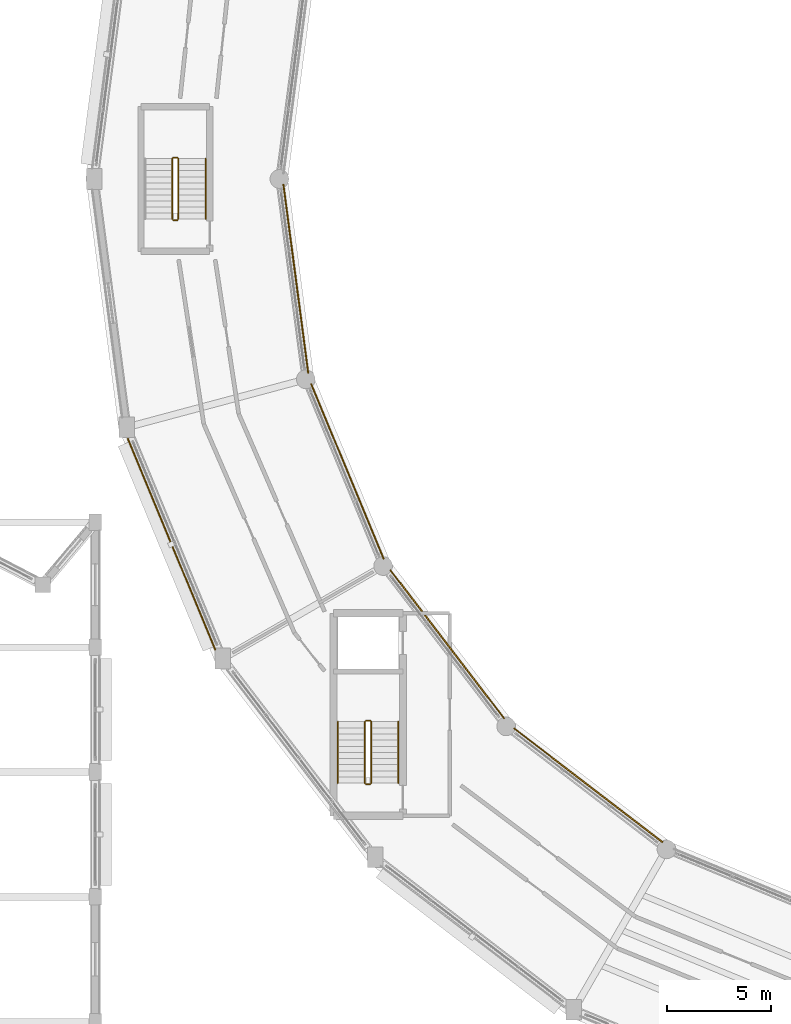
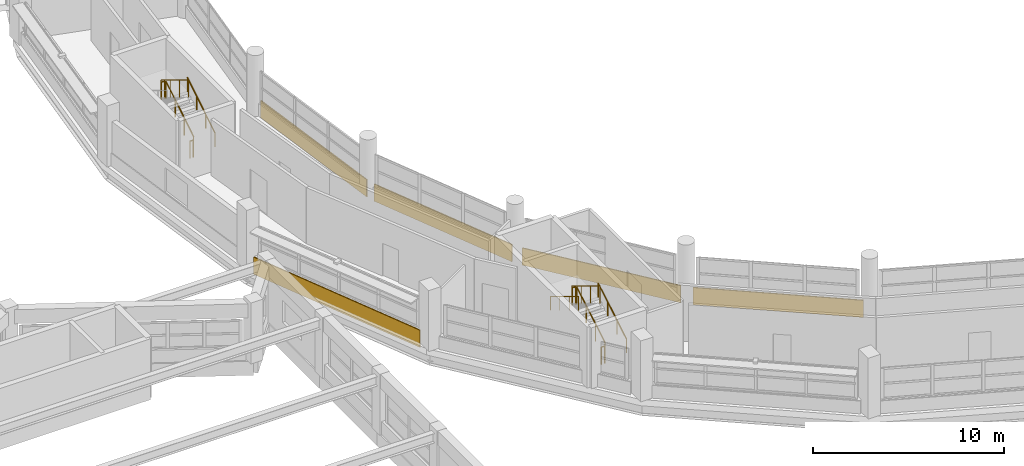
# One storey, part 102 of 108: 11 railings, 5 coverings.
"""IFC4 building model written with IfcOpenShell, lengths in metres."""

from ifc_helpers import new_model, si_unit, direction, frame, frame_2d, origin, origin_2d, place, context, subcontext, project, spatial, rectangle, circle, extrude, material, layer, layer_set, type_object, element, save


model = new_model("IFC4")

# Units and contexts
model_context = context("Model", 3, precision=1e-05, world=origin(), true_north=direction((0.0, 1.0)))
body_context = subcontext(model_context, "Body", "Model", "MODEL_VIEW")
ifc_project = project(units=[si_unit("LENGTHUNIT", "METRE"), si_unit("AREAUNIT", "SQUARE_METRE"), si_unit("VOLUMEUNIT", "CUBIC_METRE"), si_unit("PLANEANGLEUNIT", "RADIAN"), si_unit("MASSUNIT", "GRAM", prefix="KILO")], contexts=[model_context])

# Site, building, storey
site_placement = place(None, origin())
site = spatial("IfcSite", under=ifc_project, at=site_placement, CompositionType="ELEMENT")
building_placement = place(site_placement, origin())
building = spatial("IfcBuilding", under=site, at=building_placement, Name="Vespera Passage Community Centre", CompositionType="ELEMENT")
storey_placement = place(building_placement, frame((0.0, 0.0, 12.60009765625)))
storey = spatial("IfcBuildingStorey", under=building, at=storey_placement, Name="L03", CompositionType="ELEMENT", Elevation=12.60009765625)

# Coverings
ifc_material_1 = material(Name="Precast concrete f'c 40 MPa", Category="concrete")
ifc_layer = layer(ifc_material_1, 0.06005859375)
ifc_layer_set = layer_set([ifc_layer], Name="Precast concrete f'c 40 MPa")
covering_type = type_object("IfcCoveringType", Name="COV-CLAD-60E", PredefinedType="CLADDING", material=ifc_layer_set)
covering_1_placement = place(storey_placement, frame((40.989990234375, 65.2451171875, -0.280029296875), z_axis=(0.0, 0.0, 1.0), x_axis=(0.13052003772, -0.99144567161, 0.0)))
element("IfcCovering", 1, at=covering_1_placement, inside=storey, type_object=covering_type, Name="V4 L03 Inner Court White Spandrel Band I12", PredefinedType="CLADDING", context=body_context, shape_type="SweptSolid", body=[
    extrude(rectangle(XDim=9.15625, YDim=0.06005859375, at=frame_2d((4.578125, 0.0))), origin(), (0.0, 0.0, 1.0), 1.099853515625),
])
covering_2_placement = place(storey_placement, frame((37.7216796875, 42.86181640625, -0.280029296875), z_axis=(0.0, 0.0, 1.0), x_axis=(-0.382695413149, 0.923874569817, 0.0)))
element("IfcCovering", 2, at=covering_2_placement, inside=storey, type_object=covering_type, Name="V4 L03 Outer White Spandrel Band O13", PredefinedType="CLADDING", context=body_context, shape_type="SweptSolid", body=[
    extrude(rectangle(XDim=11.002197265625, YDim=0.06005859375, at=frame_2d((5.5009765625, 0.0))), origin(), (0.0, 0.0, 1.0), 1.099853515625),
])
covering_3_placement = place(storey_placement, frame((42.325439453125, 55.654296875, -0.280029296875), z_axis=(0.0, 0.0, 1.0), x_axis=(0.38269491658, -0.92387477551, 0.0)))
element("IfcCovering", 3, at=covering_3_placement, inside=storey, type_object=covering_type, Name="V4 L03 Inner Court White Spandrel Band I13", PredefinedType="CLADDING", context=body_context, shape_type="SweptSolid", body=[
    extrude(rectangle(XDim=9.11181640625, YDim=0.06005859375, at=frame_2d((4.555908203125, 0.0))), origin(), (0.0, 0.0, 1.0), 1.099853515625),
])
for number, where, z_axis, x_axis, name in (
    (4, (46.121826171875, 46.714111328125, -0.280029296875), (0.0, 0.0, 1.0), (0.608765610033, -0.793350132061, 0.0), "V4 L03 Inner Court White Spandrel Band I14"),
    (5, (52.0703125, 39.103515625, -0.280029296875), (0.0, 0.0, 1.0), (0.793350132061, -0.608765610033, 0.0), "V4 L03 Inner Court White Spandrel Band I15"),
):
    element("IfcCovering", number, at=place(storey_placement, frame(where, z_axis=z_axis, x_axis=x_axis)), inside=storey, type_object=covering_type, Name=name, PredefinedType="CLADDING", context=body_context, shape_type="SweptSolid", body=[
        extrude(rectangle(XDim=9.004638671875, YDim=0.06005859375, at=frame_2d((4.50244140625, 0.0))), origin(), (0.0, 0.0, 1.0), 1.099853515625),
    ])

# Railings
ifc_material_2 = material(Name="Steel ASTM A500 Grade C", Category="steel")
railing_type_1 = type_object("IfcRailingType", Name="RL-HAND-900I", PredefinedType="HANDRAIL", material=ifc_material_2)
railing_1_placement = place(storey_placement, frame((37.25, 63.574951171875, 0.17724609375)))
element("IfcRailing", 6, at=railing_1_placement, inside=storey, type_object=railing_type_1, Name="L03 ST04 stair handrail 1", PredefinedType="HANDRAIL", context=body_context, shape_type="SweptSolid", body=[
    extrude(circle(Radius=0.02392578125, at=origin_2d()), frame((0.0, 0.0, 0.8759765625), z_axis=(0.0, 0.853230340181, 0.521534262148), x_axis=(-1.0, 0.0, 0.0)), (0.0, 0.0, 1.0), 3.39892578125),
    extrude(circle(Radius=0.02099609375, at=origin_2d()), origin(), (0.0, 0.0, 1.0), 0.851806640625),
    extrude(circle(Radius=0.02099609375, at=origin_2d()), frame((0.0, 0.966796875, 0.5908203125)), (0.0, 0.0, 1.0), 0.851806640625),
    extrude(circle(Radius=0.02099609375, at=origin_2d()), frame((0.0, 1.933349609375, 1.181884765625)), (0.0, 0.0, 1.0), 0.851806640625),
    extrude(circle(Radius=0.02099609375, at=origin_2d()), frame((0.0, 2.900146484375, 1.772705078125)), (0.0, 0.0, 1.0), 0.851806640625),
])
railing_2_placement = place(storey_placement, frame((46.510986328125, 36.469970703125, 0.17724609375)))
element("IfcRailing", 7, at=railing_2_placement, inside=storey, type_object=railing_type_1, Name="L03 ST05 stair handrail 1", PredefinedType="HANDRAIL", context=body_context, shape_type="SweptSolid", body=[
    extrude(circle(Radius=0.02392578125, at=origin_2d()), frame((0.0, 0.0, 0.8759765625), z_axis=(0.0, 0.857142210208, 0.515079830201), x_axis=(-1.0, 0.0, 0.0)), (0.0, 0.0, 1.0), 3.441650390625),
    extrude(circle(Radius=0.02099609375, at=origin_2d()), origin(), (0.0, 0.0, 1.0), 0.851806640625),
    extrude(circle(Radius=0.02099609375, at=origin_2d()), frame((0.0, 0.9833984375, 0.5908203125)), (0.0, 0.0, 1.0), 0.851806640625),
    extrude(circle(Radius=0.02099609375, at=origin_2d()), frame((0.0, 1.966552734375, 1.181884765625)), (0.0, 0.0, 1.0), 0.851806640625),
    extrude(circle(Radius=0.02099609375, at=origin_2d()), frame((0.0, 2.949951171875, 1.772705078125)), (0.0, 0.0, 1.0), 0.851806640625),
])
railing_3_placement = place(storey_placement, frame((43.611083984375, 39.419921875, 2.127197265625)))
element("IfcRailing", 8, at=railing_3_placement, inside=storey, type_object=railing_type_1, Name="L03 ST05 stair handrail 2", PredefinedType="HANDRAIL", context=body_context, shape_type="SweptSolid", body=[
    extrude(circle(Radius=0.02392578125, at=origin_2d()), frame((0.0, 0.0, 0.8759765625), z_axis=(0.0, -0.857142210208, 0.515079830201), x_axis=(1.0, 0.0, 0.0)), (0.0, 0.0, 1.0), 3.441650390625),
    extrude(circle(Radius=0.02099609375, at=origin_2d()), origin(), (0.0, 0.0, 1.0), 0.851806640625),
    extrude(circle(Radius=0.02099609375, at=origin_2d()), frame((0.0, -0.9833984375, 0.5908203125)), (0.0, 0.0, 1.0), 0.851806640625),
    extrude(circle(Radius=0.02099609375, at=origin_2d()), frame((0.0, -1.966552734375, 1.181884765625)), (0.0, 0.0, 1.0), 0.851806640625),
    extrude(circle(Radius=0.02099609375, at=origin_2d()), frame((0.0, -2.949951171875, 1.772705078125)), (0.0, 0.0, 1.0), 0.851806640625),
])
ifc_material_3 = material(Name="Steel ASTM A500 Grade C", Category="steel")
railing_type_2 = type_object("IfcRailingType", Name="RL-STAIR-1100I", PredefinedType="GUARDRAIL", material=ifc_material_3)
railing_4_placement = place(storey_placement, frame((35.949951171875, 63.574951171875, 0.17724609375)))
element("IfcRailing", 9, at=railing_4_placement, inside=storey, type_object=railing_type_2, Name="L03 ST04 stair guard 1", PredefinedType="GUARDRAIL", context=body_context, shape_type="SweptSolid", body=[
    extrude(circle(Radius=0.02392578125, at=origin_2d()), frame((0.0, 0.0, 1.09619140625), z_axis=(0.0, 0.853230340181, 0.521534262148), x_axis=(-1.0, 0.0, 0.0)), (0.0, 0.0, 1.0), 3.39892578125),
    extrude(circle(Radius=0.02099609375, at=origin_2d()), origin(), (0.0, 0.0, 1.0), 1.072021484375),
    extrude(circle(Radius=0.02099609375, at=origin_2d()), frame((0.0, 0.966796875, 0.5908203125)), (0.0, 0.0, 1.0), 1.072021484375),
    extrude(circle(Radius=0.02099609375, at=origin_2d()), frame((0.0, 1.933349609375, 1.181884765625)), (0.0, 0.0, 1.0), 1.072021484375),
    extrude(circle(Radius=0.02099609375, at=origin_2d()), frame((0.0, 2.900146484375, 1.772705078125)), (0.0, 0.0, 1.0), 1.072021484375),
])
railing_5_placement = place(storey_placement, frame((35.89990234375, 66.52490234375, 1.949951171875)))
element("IfcRailing", 10, at=railing_5_placement, inside=storey, type_object=railing_type_2, Name="L03 ST04 stair guard 2", PredefinedType="GUARDRAIL", context=body_context, shape_type="SweptSolid", body=[
    extrude(circle(Radius=0.02392578125, at=origin_2d()), frame((0.0, 0.0, 1.09619140625), z_axis=(-1.0, 0.0, 0.0), x_axis=(0.0, -1.0, 0.0)), (0.0, 0.0, 1.0), 0.199951171875),
    extrude(circle(Radius=0.02099609375, at=origin_2d()), origin(), (0.0, 0.0, 1.0), 1.072021484375),
    extrude(circle(Radius=0.02099609375, at=origin_2d()), frame((-0.199951171875, 0.0, 0.0)), (0.0, 0.0, 1.0), 1.072021484375),
])
railing_6_placement = place(storey_placement, frame((35.64990234375, 66.47509765625, 2.127197265625)))
element("IfcRailing", 11, at=railing_6_placement, inside=storey, type_object=railing_type_2, Name="L03 ST04 stair guard 3", PredefinedType="GUARDRAIL", context=body_context, shape_type="SweptSolid", body=[
    extrude(circle(Radius=0.02392578125, at=origin_2d()), frame((0.0, 0.0, 1.09619140625), z_axis=(0.0, -0.853230340181, 0.521534262148), x_axis=(1.0, 0.0, 0.0)), (0.0, 0.0, 1.0), 3.39892578125),
    extrude(circle(Radius=0.02099609375, at=origin_2d()), origin(), (0.0, 0.0, 1.0), 1.072021484375),
    extrude(circle(Radius=0.02099609375, at=origin_2d()), frame((0.0, -0.966796875, 0.5908203125)), (0.0, 0.0, 1.0), 1.072021484375),
    extrude(circle(Radius=0.02099609375, at=origin_2d()), frame((0.0, -1.933349609375, 1.181884765625)), (0.0, 0.0, 1.0), 1.072021484375),
    extrude(circle(Radius=0.02099609375, at=origin_2d()), frame((0.0, -2.900146484375, 1.772705078125)), (0.0, 0.0, 1.0), 1.072021484375),
])
railing_7_placement = place(storey_placement, frame((35.89990234375, 63.52490234375, 0.0)))
element("IfcRailing", 12, at=railing_7_placement, inside=storey, type_object=railing_type_2, Name="L03 ST04 stair guard 4", PredefinedType="GUARDRAIL", context=body_context, shape_type="SweptSolid", body=[
    extrude(circle(Radius=0.02392578125, at=origin_2d()), frame((0.0, 0.0, 1.09619140625), z_axis=(-1.0, 0.0, 0.0), x_axis=(0.0, -1.0, 0.0)), (0.0, 0.0, 1.0), 0.199951171875),
    extrude(circle(Radius=0.02099609375, at=origin_2d()), origin(), (0.0, 0.0, 1.0), 1.072021484375),
    extrude(circle(Radius=0.02099609375, at=origin_2d()), frame((-0.199951171875, 0.0, 0.0)), (0.0, 0.0, 1.0), 1.072021484375),
])
railing_8_placement = place(storey_placement, frame((45.2109375, 36.469970703125, 0.17724609375)))
element("IfcRailing", 13, at=railing_8_placement, inside=storey, type_object=railing_type_2, Name="L03 ST05 stair guard 1", PredefinedType="GUARDRAIL", context=body_context, shape_type="SweptSolid", body=[
    extrude(circle(Radius=0.02392578125, at=origin_2d()), frame((0.0, 0.0, 1.09619140625), z_axis=(0.0, 0.857142210208, 0.515079830201), x_axis=(-1.0, 0.0, 0.0)), (0.0, 0.0, 1.0), 3.441650390625),
    extrude(circle(Radius=0.02099609375, at=origin_2d()), origin(), (0.0, 0.0, 1.0), 1.072021484375),
    extrude(circle(Radius=0.02099609375, at=origin_2d()), frame((0.0, 0.9833984375, 0.5908203125)), (0.0, 0.0, 1.0), 1.072021484375),
    extrude(circle(Radius=0.02099609375, at=origin_2d()), frame((0.0, 1.966552734375, 1.181884765625)), (0.0, 0.0, 1.0), 1.072021484375),
    extrude(circle(Radius=0.02099609375, at=origin_2d()), frame((0.0, 2.949951171875, 1.772705078125)), (0.0, 0.0, 1.0), 1.072021484375),
])
railing_9_placement = place(storey_placement, frame((45.160888671875, 39.469970703125, 1.949951171875)))
element("IfcRailing", 14, at=railing_9_placement, inside=storey, type_object=railing_type_2, Name="L03 ST05 stair guard 2", PredefinedType="GUARDRAIL", context=body_context, shape_type="SweptSolid", body=[
    extrude(circle(Radius=0.02392578125, at=origin_2d()), frame((0.0, 0.0, 1.09619140625), z_axis=(-1.0, 0.0, 0.0), x_axis=(0.0, -1.0, 0.0)), (0.0, 0.0, 1.0), 0.199951171875),
    extrude(circle(Radius=0.02099609375, at=origin_2d()), origin(), (0.0, 0.0, 1.0), 1.072021484375),
    extrude(circle(Radius=0.02099609375, at=origin_2d()), frame((-0.199951171875, 0.0, 0.0)), (0.0, 0.0, 1.0), 1.072021484375),
])
railing_10_placement = place(storey_placement, frame((44.910888671875, 39.419921875, 2.127197265625)))
element("IfcRailing", 15, at=railing_10_placement, inside=storey, type_object=railing_type_2, Name="L03 ST05 stair guard 3", PredefinedType="GUARDRAIL", context=body_context, shape_type="SweptSolid", body=[
    extrude(circle(Radius=0.02392578125, at=origin_2d()), frame((0.0, 0.0, 1.09619140625), z_axis=(0.0, -0.857142210208, 0.515079830201), x_axis=(1.0, 0.0, 0.0)), (0.0, 0.0, 1.0), 3.441650390625),
    extrude(circle(Radius=0.02099609375, at=origin_2d()), origin(), (0.0, 0.0, 1.0), 1.072021484375),
    extrude(circle(Radius=0.02099609375, at=origin_2d()), frame((0.0, -0.9833984375, 0.5908203125)), (0.0, 0.0, 1.0), 1.072021484375),
    extrude(circle(Radius=0.02099609375, at=origin_2d()), frame((0.0, -1.966552734375, 1.181884765625)), (0.0, 0.0, 1.0), 1.072021484375),
    extrude(circle(Radius=0.02099609375, at=origin_2d()), frame((0.0, -2.949951171875, 1.772705078125)), (0.0, 0.0, 1.0), 1.072021484375),
])
railing_11_placement = place(storey_placement, frame((45.160888671875, 36.419921875, 0.0)))
element("IfcRailing", 16, at=railing_11_placement, inside=storey, type_object=railing_type_2, Name="L03 ST05 stair guard 4", PredefinedType="GUARDRAIL", context=body_context, shape_type="SweptSolid", body=[
    extrude(circle(Radius=0.02392578125, at=origin_2d()), frame((0.0, 0.0, 1.09619140625), z_axis=(-1.0, 0.0, 0.0), x_axis=(0.0, -1.0, 0.0)), (0.0, 0.0, 1.0), 0.199951171875),
    extrude(circle(Radius=0.02099609375, at=origin_2d()), origin(), (0.0, 0.0, 1.0), 1.072021484375),
    extrude(circle(Radius=0.02099609375, at=origin_2d()), frame((-0.199951171875, 0.0, 0.0)), (0.0, 0.0, 1.0), 1.072021484375),
])

save(model, "model.ifc")
